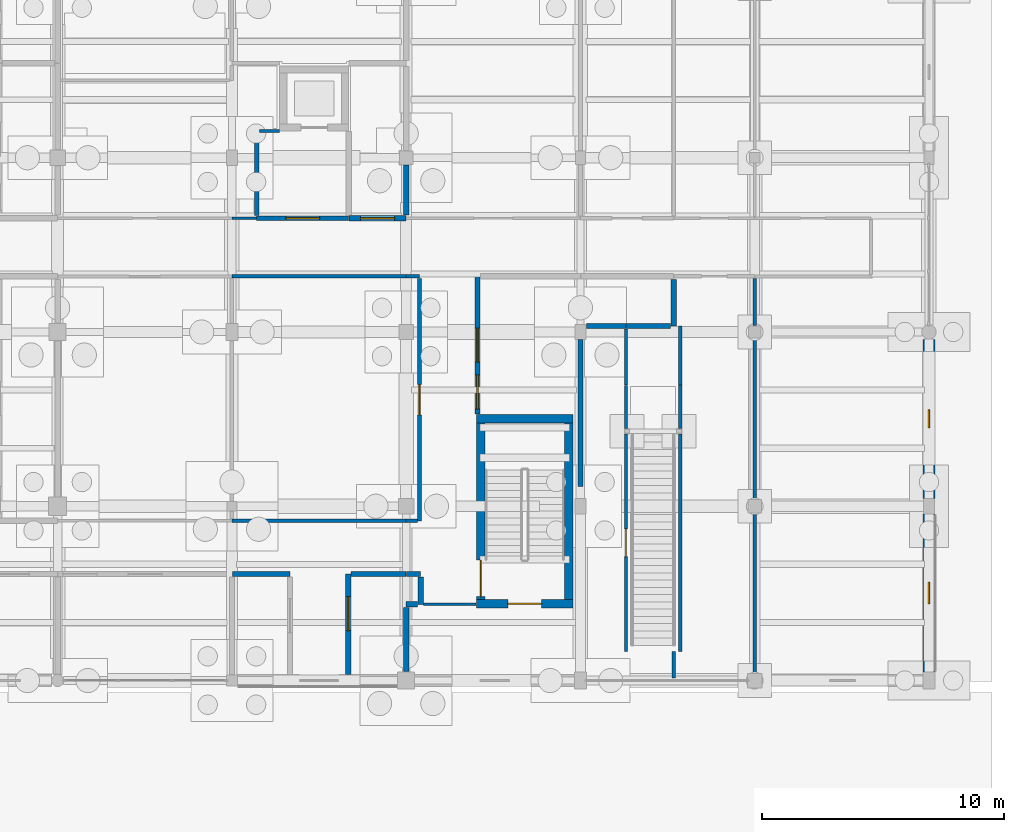
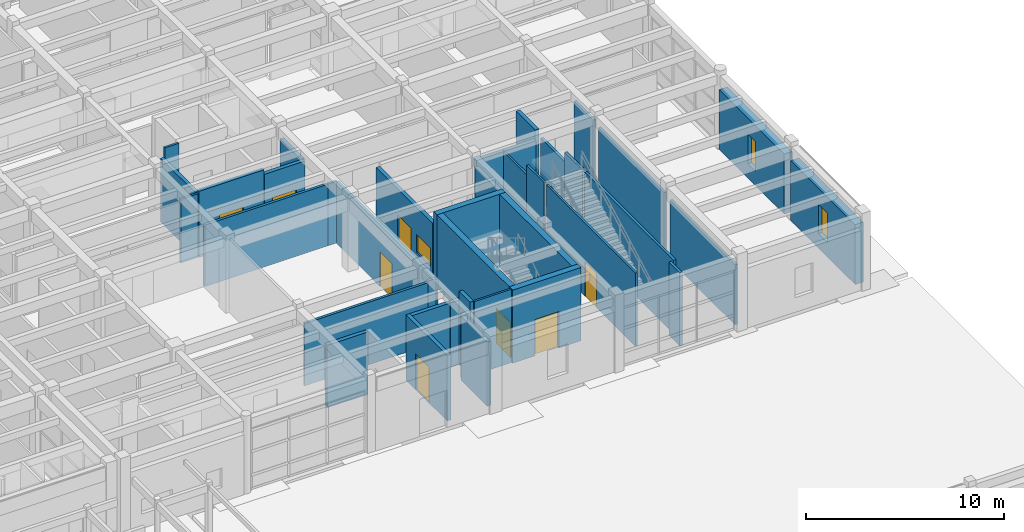
# One storey, part 120 of 143: 40 walls, 8 doors, 3 windows, 11 openings.
"""IFC4 building model written with IfcOpenShell, lengths in metres."""

from ifc_helpers import new_model, si_unit, direction, frame, frame_2d, origin, place, context, subcontext, project, spatial, rectangle, extrude, material, layer, layer_set, type_object, element, fill, save


model = new_model("IFC4")

# Units and contexts
model_context = context("Model", 3, precision=1e-05, world=origin(), true_north=direction((0.0, 1.0)))
body_context = subcontext(model_context, "Body", "Model", "MODEL_VIEW")
ifc_project = project(units=[si_unit("LENGTHUNIT", "METRE"), si_unit("AREAUNIT", "SQUARE_METRE"), si_unit("VOLUMEUNIT", "CUBIC_METRE"), si_unit("PLANEANGLEUNIT", "RADIAN"), si_unit("MASSUNIT", "GRAM", prefix="KILO")], contexts=[model_context])

# Site, building, storey
site_placement = place(None, origin())
site = spatial("IfcSite", under=ifc_project, at=site_placement, CompositionType="ELEMENT")
building_placement = place(site_placement, origin())
building = spatial("IfcBuilding", under=site, at=building_placement, Name="Steenspoor Specialist Clinic", CompositionType="ELEMENT")
storey_placement = place(building_placement, origin())
storey = spatial("IfcBuildingStorey", under=building, at=storey_placement, Name="L00", CompositionType="ELEMENT", Elevation=0.0)

# Wall, opening, window
ifc_material_1 = material(Name="Volcanic basalt ashlar masonry", Category="masonry")
ifc_layer_1 = layer(ifc_material_1, 0.47998046875)
ifc_layer_set_1 = layer_set([ifc_layer_1], Name="Volcanic basalt ashlar masonry")
wall_type_1 = type_object("IfcWallType", Name="W-BASALT-480", PredefinedType="SOLIDWALL", material=ifc_layer_set_1)
wall_1_placement = place(storey_placement, frame((161.199951171875, 79.25, 0.0), z_axis=(0.0, 0.0, 1.0), x_axis=(0.0, -1.0, 0.0)))
wall_1 = element("IfcWall", 1, at=wall_1_placement, inside=storey, type_object=wall_type_1, Name="Exterior Brick Wall EW-V6-L00-0293", PredefinedType="SOLIDWALL", context=body_context, shape_type="SweptSolid", body=[
    extrude(rectangle(XDim=6.574951171875, YDim=0.47998046875, at=frame_2d((3.28759765625, 0.0))), origin(), (0.0, 0.0, 1.0), 3.699951171875),
])
opening_1_placement = place(wall_1_placement, frame((2.91259765625, 0.0, 0.89990234375)))
opening_1 = element("IfcOpeningElement", 2, at=opening_1_placement, cuts=wall_1, Name="Opening WN-02", PredefinedType="OPENING", context=body_context, shape_type="SweptSolid", body=[
    extrude(rectangle(XDim=0.75, YDim=1.800048828125, at=frame_2d((0.375, 0.89990234375))), frame((0.0, 0.25, 0.0), z_axis=(0.0, -1.0, 0.0), x_axis=(1.0, 0.0, 0.0)), (0.0, 0.0, 1.0), 0.5),
])
ifc_material_2 = material(Name="Thermally broken aluminium and low-emissivity glass", Category="aluminium")
window_type_1 = type_object("IfcWindowType", Name="WN-EXT-075X180", PartitioningType="SINGLE_PANEL", PredefinedType="WINDOW", material=ifc_material_2)
window_1_placement = place(opening_1_placement, origin())
window_1 = element("IfcWindow", 3, at=window_1_placement, inside=storey, type_object=window_type_1, Name="Window 0314", OverallHeight=1.800048828125, OverallWidth=0.75, PartitioningType="SINGLE_PANEL", PredefinedType="WINDOW", context=body_context, shape_type="SweptSolid", body=[
    extrude(rectangle(XDim=0.75, YDim=1.800048828125, at=frame_2d((0.375, 0.89990234375))), frame((0.0, 0.030029296875, 0.0), z_axis=(0.0, -1.0, 0.0), x_axis=(1.0, 0.0, 0.0)), (0.0, 0.0, 1.0), 0.06005859375),
])
fill(opening_1, window_1)

wall_2_placement = place(storey_placement, frame((161.199951171875, 72.02490234375, 0.0), z_axis=(0.0, 0.0, 1.0), x_axis=(0.0, -1.0, 0.0)))
wall_2 = element("IfcWall", 4, at=wall_2_placement, inside=storey, type_object=wall_type_1, Name="Exterior Brick Wall EW-V6-L00-0294", PredefinedType="SOLIDWALL", context=body_context, shape_type="SweptSolid", body=[
    extrude(rectangle(XDim=6.52490234375, YDim=0.47998046875, at=frame_2d((3.262451171875, 0.0))), origin(), (0.0, 0.0, 1.0), 3.699951171875),
])
opening_2_placement = place(wall_2_placement, frame((2.8125, 0.0, 0.89990234375)))
opening_2 = element("IfcOpeningElement", 5, at=opening_2_placement, cuts=wall_2, Name="Opening WN-03", PredefinedType="OPENING", context=body_context, shape_type="SweptSolid", body=[
    extrude(rectangle(XDim=0.89990234375, YDim=1.800048828125, at=frame_2d((0.449951171875, 0.89990234375))), frame((0.0, 0.25, 0.0), z_axis=(0.0, -1.0, 0.0), x_axis=(1.0, 0.0, 0.0)), (0.0, 0.0, 1.0), 0.5),
])
window_type_2 = type_object("IfcWindowType", Name="WN-EXT-090X180", PartitioningType="SINGLE_PANEL", PredefinedType="WINDOW", material=ifc_material_2)
window_2_placement = place(opening_2_placement, origin())
window_2 = element("IfcWindow", 6, at=window_2_placement, inside=storey, type_object=window_type_2, Name="Window 0315", OverallHeight=1.800048828125, OverallWidth=0.89990234375, PartitioningType="SINGLE_PANEL", PredefinedType="WINDOW", context=body_context, shape_type="SweptSolid", body=[
    extrude(rectangle(XDim=0.89990234375, YDim=1.800048828125, at=frame_2d((0.449951171875, 0.89990234375))), frame((0.0, 0.030029296875, 0.0), z_axis=(0.0, -1.0, 0.0), x_axis=(1.0, 0.0, 0.0)), (0.0, 0.0, 1.0), 0.06005859375),
])
fill(opening_2, window_2)

# Wall
ifc_material_3 = material(Name="Gypsum acoustic clinical partition", Category="gypsum")
ifc_layer_2 = layer(ifc_material_3, 0.14990234375)
ifc_layer_set_2 = layer_set([ifc_layer_2], Name="Gypsum acoustic clinical partition")
wall_type_2 = type_object("IfcWallType", Name="W-CLIN-150", PredefinedType="PARTITIONING", material=ifc_layer_set_2)
wall_3_placement = place(storey_placement, frame((139.60009765625, 81.85009765625, 0.0), z_axis=(0.0, 0.0, 1.0), x_axis=(1.0, 0.0, 0.0)))
element("IfcWall", 7, at=wall_3_placement, inside=storey, type_object=wall_type_2, Name="Interior Partition IW-V6-L00-0279", PredefinedType="PARTITIONING", context=body_context, shape_type="SweptSolid", body=[
    extrude(rectangle(XDim=0.5498046875, YDim=0.14990234375, at=frame_2d((0.27490234375, 0.0))), origin(), (0.0, 0.0, 1.0), 3.804931640625),
])

# Wall, opening, door
wall_4_placement = place(storey_placement, frame((140.14990234375, 71.75, 0.0), z_axis=(0.0, 0.0, 1.0), x_axis=(0.0, 1.0, 0.0)))
wall_4 = element("IfcWall", 8, at=wall_4_placement, inside=storey, type_object=wall_type_2, Name="Interior Partition IW-V6-L00-0280", PredefinedType="PARTITIONING", context=body_context, shape_type="SweptSolid", body=[
    extrude(rectangle(XDim=10.010009765625, YDim=0.14990234375, at=frame_2d((5.0048828125, 0.0))), origin(), (0.0, 0.0, 1.0), 3.804931640625),
])
opening_3_placement = place(wall_4_placement, frame((4.3798828125, 0.0, 0.0)))
opening_3 = element("IfcOpeningElement", 9, at=opening_3_placement, cuts=wall_4, Name="Opening D0410", PredefinedType="OPENING", context=body_context, shape_type="SweptSolid", body=[
    extrude(rectangle(XDim=1.25, YDim=2.14990234375, at=frame_2d((0.625, 1.074951171875))), frame((0.0, 0.0849609375, 0.0), z_axis=(0.0, -1.0, 0.0), x_axis=(1.0, 0.0, 0.0)), (0.0, 0.0, 1.0), 0.169921875),
])
ifc_material_4 = material(Name="Hygienic HPL clinical timber door", Category="wood")
door_type_1 = type_object("IfcDoorType", Name="DT-EXAM-125X215", OperationType="NOTDEFINED", PredefinedType="DOOR", material=ifc_material_4)
door_1_placement = place(opening_3_placement, origin())
door_1 = element("IfcDoor", 10, at=door_1_placement, inside=storey, type_object=door_type_1, Name="Clinical Door D0410", OperationType="SINGLE_SWING_LEFT", OverallHeight=2.14990234375, OverallWidth=1.25, PredefinedType="DOOR", context=body_context, shape_type="SweptSolid", body=[
    extrude(rectangle(XDim=1.25, YDim=2.14990234375, at=frame_2d((0.625, 1.074951171875))), frame((0.0, 0.02490234375, 0.0), z_axis=(0.0, -1.0, 0.0), x_axis=(1.0, 0.0, 0.0)), (0.0, 0.0, 1.0), 0.050048828125),
])
fill(opening_3, door_1)

# Walls
wall_5_placement = place(storey_placement, frame((139.60009765625, 71.75, 0.0), z_axis=(0.0, 0.0, 1.0), x_axis=(1.0, 0.0, 0.0)))
element("IfcWall", 11, at=wall_5_placement, inside=storey, type_object=wall_type_2, Name="Interior Partition IW-V6-L00-0281", PredefinedType="PARTITIONING", context=body_context, shape_type="SweptSolid", body=[
    extrude(rectangle(XDim=0.4599609375, YDim=0.14990234375, at=frame_2d((0.22998046875, 0.0))), origin(), (0.0, 0.0, 1.0), 3.955078125),
])
wall_6_placement = place(storey_placement, frame((132.39990234375, 71.75, 0.0), z_axis=(0.0, 0.0, 1.0), x_axis=(1.0, 0.0, 0.0)))
element("IfcWall", 12, at=wall_6_placement, inside=storey, type_object=wall_type_2, Name="Interior Partition IW-V6-L00-0282", PredefinedType="PARTITIONING", context=body_context, shape_type="SweptSolid", body=[
    extrude(rectangle(XDim=7.18505859375, YDim=0.14990234375, at=frame_2d((3.592529296875, 0.0))), origin(), (0.0, 0.0, 1.0), 3.85498046875),
])
wall_7_placement = place(storey_placement, frame((132.39990234375, 81.85009765625, 0.0), z_axis=(0.0, 0.0, 1.0), x_axis=(1.0, 0.0, 0.0)))
element("IfcWall", 13, at=wall_7_placement, inside=storey, type_object=wall_type_2, Name="Interior Partition IW-V6-L00-0283", PredefinedType="PARTITIONING", context=body_context, shape_type="SweptSolid", body=[
    extrude(rectangle(XDim=7.18505859375, YDim=0.14990234375, at=frame_2d((3.592529296875, 0.0))), origin(), (0.0, 0.0, 1.0), 3.804931640625),
])
wall_8_placement = place(storey_placement, frame((150.64990234375, 65.2548828125, 0.0), z_axis=(0.0, 0.0, 1.0), x_axis=(0.0, 1.0, 0.0)))
element("IfcWall", 14, at=wall_8_placement, inside=storey, type_object=wall_type_2, Name="Interior Partition IW-V6-L00-0635", PredefinedType="PARTITIONING", context=body_context, shape_type="SweptSolid", body=[
    extrude(rectangle(XDim=1.09521484375, YDim=0.14990234375, at=frame_2d((0.547607421875, 0.0))), origin(), (0.0, 0.0, 1.0), 4.52001953125),
])
wall_9_placement = place(storey_placement, frame((150.925048828125, 66.35009765625, 0.0), z_axis=(0.0, 0.0, 1.0), x_axis=(0.0, 1.0, 0.0)))
element("IfcWall", 15, at=wall_9_placement, inside=storey, type_object=wall_type_2, Name="Interior Partition IW-V6-L00-0636", PredefinedType="PARTITIONING", context=body_context, shape_type="SweptSolid", body=[
    extrude(rectangle(XDim=8.98291015625, YDim=0.14990234375, at=frame_2d((4.491455078125, 0.0))), origin(), (0.0, 0.0, 1.0), 4.52001953125),
])
wall_10_placement = place(storey_placement, frame((150.925048828125, 75.56689453125, 0.0), z_axis=(0.0, 0.0, 1.0), x_axis=(0.0, 1.0, 0.0)))
element("IfcWall", 16, at=wall_10_placement, inside=storey, type_object=wall_type_2, Name="Interior Partition IW-V6-L00-0637", PredefinedType="PARTITIONING", context=body_context, shape_type="SweptSolid", body=[
    extrude(rectangle(XDim=1.783203125, YDim=0.14990234375, at=frame_2d((0.8916015625, 0.0))), origin(), (0.0, 0.0, 1.0), 4.52001953125),
])
wall_11_placement = place(storey_placement, frame((150.925048828125, 77.364990234375, 0.0), z_axis=(0.0, 0.0, 1.0), x_axis=(0.0, 1.0, 0.0)))
element("IfcWall", 17, at=wall_11_placement, inside=storey, type_object=wall_type_2, Name="Interior Partition IW-V6-L00-0638", PredefinedType="PARTITIONING", context=body_context, shape_type="SweptSolid", body=[
    extrude(rectangle(XDim=2.43505859375, YDim=0.14990234375, at=frame_2d((1.217529296875, 0.0))), origin(), (0.0, 0.0, 1.0), 3.925048828125),
])
wall_12_placement = place(storey_placement, frame((154.0, 65.465087890625, 0.0), z_axis=(0.0, 0.0, 1.0), x_axis=(0.0, 1.0, 0.0)))
element("IfcWall", 18, at=wall_12_placement, inside=storey, type_object=wall_type_2, Name="Interior Partition IW-V6-L00-0639", PredefinedType="PARTITIONING", context=body_context, shape_type="SweptSolid", body=[
    extrude(rectangle(XDim=6.594970703125, YDim=0.14990234375, at=frame_2d((3.29736328125, 0.0))), origin(), (0.0, 0.0, 1.0), 3.705078125),
])
wall_13_placement = place(storey_placement, frame((154.0, 72.639892578125, 0.0), z_axis=(0.0, 0.0, 1.0), x_axis=(0.0, 1.0, 0.0)))
element("IfcWall", 19, at=wall_13_placement, inside=storey, type_object=wall_type_2, Name="Interior Partition IW-V6-L00-0640", PredefinedType="PARTITIONING", context=body_context, shape_type="SweptSolid", body=[
    extrude(rectangle(XDim=6.64501953125, YDim=0.14990234375, at=frame_2d((3.322509765625, 0.0))), origin(), (0.0, 0.0, 1.0), 3.804931640625),
])
wall_14_placement = place(storey_placement, frame((154.0, 79.81494140625, 0.0), z_axis=(0.0, 0.0, 1.0), x_axis=(0.0, 1.0, 0.0)))
element("IfcWall", 20, at=wall_14_placement, inside=storey, type_object=wall_type_2, Name="Interior Partition IW-V6-L00-0641", PredefinedType="PARTITIONING", context=body_context, shape_type="SweptSolid", body=[
    extrude(rectangle(XDim=1.945068359375, YDim=0.14990234375, at=frame_2d((0.97265625, 0.0))), origin(), (0.0, 0.0, 1.0), 3.925048828125),
])
ifc_material_5 = material(Name="Fire-rated clay blockwork masonry", Category="masonry")
ifc_layer_3 = layer(ifc_material_5, 0.219970703125)
ifc_layer_set_3 = layer_set([ifc_layer_3], Name="Fire-rated clay blockwork masonry")
wall_type_3 = type_object("IfcWallType", Name="W-FIRE-220", PredefinedType="PARTITIONING", material=ifc_layer_set_3)
wall_15_placement = place(storey_placement, frame((132.4150390625, 69.550048828125, 0.0), z_axis=(0.0, 0.0, 1.0), x_axis=(1.0, 0.0, 0.0)))
element("IfcWall", 21, at=wall_15_placement, inside=storey, type_object=wall_type_3, Name="Interior Partition IW-V6-L00-0093", PredefinedType="PARTITIONING", context=body_context, shape_type="SweptSolid", body=[
    extrude(rectangle(XDim=2.385009765625, YDim=0.219970703125, at=frame_2d((1.1923828125, 0.0))), origin(), (0.0, 0.0, 1.0), 3.85498046875),
])

# Wall, opening, door
wall_16_placement = place(storey_placement, frame((137.199951171875, 65.405029296875, 0.0), z_axis=(0.0, 0.0, 1.0), x_axis=(0.0, 1.0, 0.0)))
wall_16 = element("IfcWall", 22, at=wall_16_placement, inside=storey, type_object=wall_type_3, Name="Interior Partition IW-V6-L00-0095", PredefinedType="PARTITIONING", context=body_context, shape_type="SweptSolid", body=[
    extrude(rectangle(XDim=4.14501953125, YDim=0.219970703125, at=frame_2d((2.072509765625, 0.0))), origin(), (0.0, 0.0, 1.0), 4.044921875),
])
opening_4_placement = place(wall_16_placement, frame((1.811767578125, 0.0, 0.0)))
opening_4 = element("IfcOpeningElement", 23, at=opening_4_placement, cuts=wall_16, Name="Opening D0404", PredefinedType="OPENING", context=body_context, shape_type="SweptSolid", body=[
    extrude(rectangle(XDim=1.39990234375, YDim=2.199951171875, at=frame_2d((0.699951171875, 1.10009765625))), frame((0.0, 0.1201171875, 0.0), z_axis=(0.0, -1.0, 0.0), x_axis=(1.0, 0.0, 0.0)), (0.0, 0.0, 1.0), 0.239990234375),
])
ifc_material_6 = material(Name="Fire-rated clinical laminate door", Category="steel")
door_type_2 = type_object("IfcDoorType", Name="DT-LAB-140X220", OperationType="NOTDEFINED", PredefinedType="DOOR", material=ifc_material_6)
door_2_placement = place(opening_4_placement, origin())
door_2 = element("IfcDoor", 24, at=door_2_placement, inside=storey, type_object=door_type_2, Name="Clinical Door D0404", OperationType="SINGLE_SWING_LEFT", OverallHeight=2.199951171875, OverallWidth=1.39990234375, PredefinedType="DOOR", context=body_context, shape_type="SweptSolid", body=[
    extrude(rectangle(XDim=1.39990234375, YDim=2.199951171875, at=frame_2d((0.699951171875, 1.10009765625))), frame((0.0, 0.02490234375, 0.0), z_axis=(0.0, -1.0, 0.0), x_axis=(1.0, 0.0, 0.0)), (0.0, 0.0, 1.0), 0.050048828125),
])
fill(opening_4, door_2)

# Walls
wall_17_placement = place(storey_placement, frame((137.324951171875, 69.550048828125, 0.0), z_axis=(0.0, 0.0, 1.0), x_axis=(1.0, 0.0, 0.0)))
element("IfcWall", 25, at=wall_17_placement, inside=storey, type_object=wall_type_3, Name="Interior Partition IW-V6-L00-0096", PredefinedType="PARTITIONING", context=body_context, shape_type="SweptSolid", body=[
    extrude(rectangle(XDim=2.275146484375, YDim=0.219970703125, at=frame_2d((1.1376953125, 0.0))), origin(), (0.0, 0.0, 1.0), 3.955078125),
])
wall_18_placement = place(storey_placement, frame((139.614990234375, 69.550048828125, 0.0), z_axis=(0.0, 0.0, 1.0), x_axis=(1.0, 0.0, 0.0)))
element("IfcWall", 26, at=wall_18_placement, inside=storey, type_object=wall_type_3, Name="Interior Partition IW-V6-L00-0097", PredefinedType="PARTITIONING", context=body_context, shape_type="SweptSolid", body=[
    extrude(rectangle(XDim=0.5849609375, YDim=0.219970703125, at=frame_2d((0.29248046875, 0.0))), origin(), (0.0, 0.0, 1.0), 3.955078125),
])
wall_19_placement = place(storey_placement, frame((140.199951171875, 68.300048828125, 0.0), z_axis=(0.0, 0.0, 1.0), x_axis=(0.0, 1.0, 0.0)))
element("IfcWall", 27, at=wall_19_placement, inside=storey, type_object=wall_type_3, Name="Interior Partition IW-V6-L00-0098", PredefinedType="PARTITIONING", context=body_context, shape_type="SweptSolid", body=[
    extrude(rectangle(XDim=1.125, YDim=0.219970703125, at=frame_2d((0.5625, 0.0))), origin(), (0.0, 0.0, 1.0), 4.52001953125),
])
wall_20_placement = place(storey_placement, frame((139.60009765625, 68.300048828125, 0.0), z_axis=(0.0, 0.0, 1.0), x_axis=(1.0, 0.0, 0.0)))
element("IfcWall", 28, at=wall_20_placement, inside=storey, type_object=wall_type_3, Name="Interior Partition IW-V6-L00-0099", PredefinedType="PARTITIONING", context=body_context, shape_type="SweptSolid", body=[
    extrude(rectangle(XDim=0.474853515625, YDim=0.219970703125, at=frame_2d((0.2373046875, 0.0))), origin(), (0.0, 0.0, 1.0), 3.955078125),
])

# Wall, openings, door, window
wall_21_placement = place(storey_placement, frame((142.550048828125, 76.1650390625, 0.0), z_axis=(0.0, 0.0, 1.0), x_axis=(0.0, 1.0, 0.0)))
wall_21 = element("IfcWall", 29, at=wall_21_placement, inside=storey, type_object=wall_type_3, Name="Interior Partition IW-V6-L00-0103", PredefinedType="PARTITIONING", context=body_context, shape_type="SweptSolid", body=[
    extrude(rectangle(XDim=5.68505859375, YDim=0.219970703125, at=frame_2d((2.842529296875, 0.0))), origin(), (0.0, 0.0, 1.0), 3.804931640625),
])
opening_5_placement = place(wall_21_placement, frame((2.142578125, 0.0, 0.0)))
opening_5 = element("IfcOpeningElement", 30, at=opening_5_placement, cuts=wall_21, Name="Opening D0411", PredefinedType="OPENING", context=body_context, shape_type="SweptSolid", body=[
    extrude(rectangle(XDim=1.39990234375, YDim=2.199951171875, at=frame_2d((0.699951171875, 1.10009765625))), frame((0.0, 0.1201171875, 0.0), z_axis=(0.0, -1.0, 0.0), x_axis=(1.0, 0.0, 0.0)), (0.0, 0.0, 1.0), 0.239990234375),
])
opening_6_placement = place(wall_21_placement, frame((0.199951171875, 0.0, 1.050048828125)))
opening_6 = element("IfcOpeningElement", 31, at=opening_6_placement, cuts=wall_21, Name="Opening IWN-01", PredefinedType="OPENING", context=body_context, shape_type="SweptSolid", body=[
    extrude(rectangle(XDim=1.39990234375, YDim=1.10009765625, at=frame_2d((0.699951171875, 0.550048828125))), frame((0.0, 0.1201171875, 0.0), z_axis=(0.0, -1.0, 0.0), x_axis=(1.0, 0.0, 0.0)), (0.0, 0.0, 1.0), 0.239990234375),
])
door_3_placement = place(opening_5_placement, origin())
door_3 = element("IfcDoor", 32, at=door_3_placement, inside=storey, type_object=door_type_2, Name="Clinical Door D0411", OperationType="SINGLE_SWING_RIGHT", OverallHeight=2.199951171875, OverallWidth=1.39990234375, PredefinedType="DOOR", context=body_context, shape_type="SweptSolid", body=[
    extrude(rectangle(XDim=1.39990234375, YDim=2.199951171875, at=frame_2d((0.699951171875, 1.10009765625))), frame((0.0, 0.02490234375, 0.0), z_axis=(0.0, -1.0, 0.0), x_axis=(1.0, 0.0, 0.0)), (0.0, 0.0, 1.0), 0.050048828125),
])
fill(opening_5, door_3)
window_type_3 = type_object("IfcWindowType", Name="IWND-OBS-140X110", PartitioningType="SINGLE_PANEL", PredefinedType="WINDOW", material=ifc_material_2)
window_3_placement = place(opening_6_placement, origin())
window_3 = element("IfcWindow", 33, at=window_3_placement, inside=storey, type_object=window_type_3, Name="Observation Window 007", OverallHeight=1.10009765625, OverallWidth=1.39990234375, PartitioningType="SINGLE_PANEL", PredefinedType="WINDOW", context=body_context, shape_type="SweptSolid", body=[
    extrude(rectangle(XDim=1.39990234375, YDim=1.10009765625, at=frame_2d((0.699951171875, 0.550048828125))), frame((0.0, 0.030029296875, 0.0), z_axis=(0.0, -1.0, 0.0), x_axis=(1.0, 0.0, 0.0)), (0.0, 0.0, 1.0), 0.06005859375),
])
fill(opening_6, window_3)

# Wall, opening, door
wall_22_placement = place(storey_placement, frame((137.239990234375, 84.25, 0.0), z_axis=(0.0, 0.0, 1.0), x_axis=(1.0, 0.0, 0.0)))
wall_22 = element("IfcWall", 34, at=wall_22_placement, inside=storey, type_object=wall_type_3, Name="Interior Partition IW-V6-L00-0108", PredefinedType="PARTITIONING", context=body_context, shape_type="SweptSolid", body=[
    extrude(rectangle(XDim=2.360107421875, YDim=0.219970703125, at=frame_2d((1.18017578125, 0.0))), origin(), (0.0, 0.0, 1.0), 3.804931640625),
])
opening_7_placement = place(wall_22_placement, frame((0.47998046875, 0.0, 0.0)))
opening_7 = element("IfcOpeningElement", 35, at=opening_7_placement, cuts=wall_22, Name="Opening D0414", PredefinedType="OPENING", context=body_context, shape_type="SweptSolid", body=[
    extrude(rectangle(XDim=1.39990234375, YDim=2.199951171875, at=frame_2d((0.699951171875, 1.10009765625))), frame((0.0, 0.1201171875, 0.0), z_axis=(0.0, -1.0, 0.0), x_axis=(1.0, 0.0, 0.0)), (0.0, 0.0, 1.0), 0.239990234375),
])
door_4_placement = place(opening_7_placement, origin())
door_4 = element("IfcDoor", 36, at=door_4_placement, inside=storey, type_object=door_type_2, Name="Clinical Door D0414", OperationType="SINGLE_SWING_LEFT", OverallHeight=2.199951171875, OverallWidth=1.39990234375, PredefinedType="DOOR", context=body_context, shape_type="SweptSolid", body=[
    extrude(rectangle(XDim=1.39990234375, YDim=2.199951171875, at=frame_2d((0.699951171875, 1.10009765625))), frame((0.0, 0.02490234375, 0.0), z_axis=(0.0, -1.0, 0.0), x_axis=(1.0, 0.0, 0.0)), (0.0, 0.0, 1.0), 0.050048828125),
])
fill(opening_7, door_4)

# Walls
wall_23_placement = place(storey_placement, frame((139.60009765625, 65.514892578125, 0.0), z_axis=(0.0, 0.0, 1.0), x_axis=(0.0, 1.0, 0.0)))
element("IfcWall", 37, at=wall_23_placement, inside=storey, type_object=wall_type_3, Name="Interior Partition IW-V6-L00-0461", PredefinedType="PARTITIONING", context=body_context, shape_type="SweptSolid", body=[
    extrude(rectangle(XDim=2.66015625, YDim=0.219970703125, at=frame_2d((1.330078125, 0.0))), origin(), (0.0, 0.0, 1.0), 3.955078125),
])
wall_24_placement = place(storey_placement, frame((146.800048828125, 73.169921875, 0.0), z_axis=(0.0, 0.0, 1.0), x_axis=(0.0, 1.0, 0.0)))
element("IfcWall", 38, at=wall_24_placement, inside=storey, type_object=wall_type_3, Name="Interior Partition IW-V6-L00-0462", PredefinedType="PARTITIONING", context=body_context, shape_type="SweptSolid", body=[
    extrude(rectangle(XDim=6.065185546875, YDim=0.219970703125, at=frame_2d((3.03271484375, 0.0))), origin(), (0.0, 0.0, 1.0), 3.925048828125),
])
wall_25_placement = place(storey_placement, frame((147.0400390625, 79.800048828125, 0.0), z_axis=(0.0, 0.0, 1.0), x_axis=(1.0, 0.0, 0.0)))
element("IfcWall", 39, at=wall_25_placement, inside=storey, type_object=wall_type_3, Name="Interior Partition IW-V6-L00-0463", PredefinedType="PARTITIONING", context=body_context, shape_type="SweptSolid", body=[
    extrude(rectangle(XDim=1.635009765625, YDim=0.219970703125, at=frame_2d((0.8173828125, 0.0))), origin(), (0.0, 0.0, 1.0), 3.925048828125),
])
wall_26_placement = place(storey_placement, frame((150.64990234375, 79.800048828125, 0.0), z_axis=(0.0, 0.0, 1.0), x_axis=(0.0, 1.0, 0.0)))
element("IfcWall", 40, at=wall_26_placement, inside=storey, type_object=wall_type_3, Name="Interior Partition IW-V6-L00-0464", PredefinedType="PARTITIONING", context=body_context, shape_type="SweptSolid", body=[
    extrude(rectangle(XDim=1.925048828125, YDim=0.219970703125, at=frame_2d((0.96240234375, 0.0))), origin(), (0.0, 0.0, 1.0), 4.52001953125),
])
wall_27_placement = place(storey_placement, frame((148.68994140625, 79.800048828125, 0.0), z_axis=(0.0, 0.0, 1.0), x_axis=(1.0, 0.0, 0.0)))
element("IfcWall", 41, at=wall_27_placement, inside=storey, type_object=wall_type_3, Name="Interior Partition IW-V6-L00-0467", PredefinedType="PARTITIONING", context=body_context, shape_type="SweptSolid", body=[
    extrude(rectangle(XDim=1.8349609375, YDim=0.219970703125, at=frame_2d((0.91748046875, 0.0))), origin(), (0.0, 0.0, 1.0), 3.925048828125),
])
wall_28_placement = place(storey_placement, frame((139.60009765625, 84.375, 0.0), z_axis=(0.0, 0.0, 1.0), x_axis=(0.0, 1.0, 0.0)))
element("IfcWall", 42, at=wall_28_placement, inside=storey, type_object=wall_type_3, Name="Interior Partition IW-V6-L00-0472", PredefinedType="PARTITIONING", context=body_context, shape_type="SweptSolid", body=[
    extrude(rectangle(XDim=2.0849609375, YDim=0.219970703125, at=frame_2d((1.04248046875, 0.0))), origin(), (0.0, 0.0, 1.0), 3.804931640625),
])
ifc_material_7 = material(Name="Gypsum studio partition board", Category="gypsum")
ifc_layer_4 = layer(ifc_material_7, 0.1201171875)
ifc_layer_set_4 = layer_set([ifc_layer_4], Name="Gypsum studio partition board")
wall_type_4 = type_object("IfcWallType", Name="W-PART-120", PredefinedType="PARTITIONING", material=ifc_layer_set_4)
wall_29_placement = place(storey_placement, frame((140.324951171875, 68.300048828125, 0.0), z_axis=(0.0, 0.0, 1.0), x_axis=(1.0, 0.0, 0.0)))
element("IfcWall", 43, at=wall_29_placement, inside=storey, type_object=wall_type_4, Name="Interior Partition IW-V6-L00-0379", PredefinedType="PARTITIONING", context=body_context, shape_type="SweptSolid", body=[
    extrude(rectangle(XDim=2.16015625, YDim=0.1201171875, at=frame_2d((1.080078125, 0.0))), origin(), (0.0, 0.0, 1.0), 4.52001953125),
])
wall_30_placement = place(storey_placement, frame((132.39990234375, 84.25, 0.0), z_axis=(0.0, 0.0, 1.0), x_axis=(1.0, 0.0, 0.0)))
element("IfcWall", 44, at=wall_30_placement, inside=storey, type_object=wall_type_4, Name="Interior Partition IW-V6-L00-0385", PredefinedType="PARTITIONING", context=body_context, shape_type="SweptSolid", body=[
    extrude(rectangle(XDim=1.010009765625, YDim=0.1201171875, at=frame_2d((0.5048828125, 0.0))), origin(), (0.0, 0.0, 1.0), 3.925048828125),
])
wall_31_placement = place(storey_placement, frame((148.675048828125, 77.35009765625, 0.0), z_axis=(0.0, 0.0, 1.0), x_axis=(0.0, 1.0, 0.0)))
element("IfcWall", 45, at=wall_31_placement, inside=storey, type_object=wall_type_4, Name="Interior Partition IW-V6-L00-0661", PredefinedType="PARTITIONING", context=body_context, shape_type="SweptSolid", body=[
    extrude(rectangle(XDim=2.324951171875, YDim=0.1201171875, at=frame_2d((1.16259765625, 0.0))), origin(), (0.0, 0.0, 1.0), 3.925048828125),
])

# Wall, opening, door
wall_32_placement = place(storey_placement, frame((148.675048828125, 66.35009765625, 0.0), z_axis=(0.0, 0.0, 1.0), x_axis=(0.0, 1.0, 0.0)))
wall_32 = element("IfcWall", 46, at=wall_32_placement, inside=storey, type_object=wall_type_4, Name="Interior Partition IW-V6-L00-0662", PredefinedType="PARTITIONING", context=body_context, shape_type="SweptSolid", body=[
    extrude(rectangle(XDim=8.98291015625, YDim=0.1201171875, at=frame_2d((4.491455078125, 0.0))), origin(), (0.0, 0.0, 1.0), 4.52001953125),
])
opening_8_placement = place(wall_32_placement, frame((3.91650390625, 0.0, 0.0)))
opening_8 = element("IfcOpeningElement", 47, at=opening_8_placement, cuts=wall_32, Name="Opening D0405", PredefinedType="OPENING", context=body_context, shape_type="SweptSolid", body=[
    extrude(rectangle(XDim=1.14990234375, YDim=2.14990234375, at=frame_2d((0.574951171875, 1.074951171875))), frame((0.0, 0.070068359375, 0.0), z_axis=(0.0, -1.0, 0.0), x_axis=(1.0, 0.0, 0.0)), (0.0, 0.0, 1.0), 0.14013671875),
])
ifc_material_8 = material(Name="Solid-core hardwood clinical door", Category="wood")
door_type_3 = type_object("IfcDoorType", Name="DT-CONS-115X215", OperationType="NOTDEFINED", PredefinedType="DOOR", material=ifc_material_8)
door_5_placement = place(opening_8_placement, origin())
door_5 = element("IfcDoor", 48, at=door_5_placement, inside=storey, type_object=door_type_3, Name="Clinical Door D0405", OperationType="SINGLE_SWING_RIGHT", OverallHeight=2.14990234375, OverallWidth=1.14990234375, PredefinedType="DOOR", context=body_context, shape_type="SweptSolid", body=[
    extrude(rectangle(XDim=1.14990234375, YDim=2.14990234375, at=frame_2d((0.574951171875, 1.074951171875))), frame((0.0, 0.02490234375, 0.0), z_axis=(0.0, -1.0, 0.0), x_axis=(1.0, 0.0, 0.0)), (0.0, 0.0, 1.0), 0.050048828125),
])
fill(opening_8, door_5)

# Walls
wall_33_placement = place(storey_placement, frame((148.675048828125, 75.56689453125, 0.0), z_axis=(0.0, 0.0, 1.0), x_axis=(0.0, 1.0, 0.0)))
element("IfcWall", 49, at=wall_33_placement, inside=storey, type_object=wall_type_4, Name="Interior Partition IW-V6-L00-0663", PredefinedType="PARTITIONING", context=body_context, shape_type="SweptSolid", body=[
    extrude(rectangle(XDim=1.76806640625, YDim=0.1201171875, at=frame_2d((0.884033203125, 0.0))), origin(), (0.0, 0.0, 1.0), 4.52001953125),
])
wall_34_placement = place(storey_placement, frame((133.5400390625, 87.85009765625, 0.0), z_axis=(0.0, 0.0, 1.0), x_axis=(1.0, 0.0, 0.0)))
element("IfcWall", 50, at=wall_34_placement, inside=storey, type_object=wall_type_4, Name="Interior Partition IW-V6-L00-0667", PredefinedType="PARTITIONING", context=body_context, shape_type="SweptSolid", body=[
    extrude(rectangle(XDim=0.820068359375, YDim=0.1201171875, at=frame_2d((0.41015625, 0.0))), origin(), (0.0, 0.0, 1.0), 4.52001953125),
])

# Wall, opening, door
ifc_material_9 = material(Name="Gypsum acoustic smoke barrier board", Category="gypsum")
ifc_layer_5 = layer(ifc_material_9, 0.199951171875)
ifc_layer_set_5 = layer_set([ifc_layer_5], Name="Gypsum acoustic smoke barrier board")
wall_type_5 = type_object("IfcWallType", Name="W-SMOKE-200", PredefinedType="PARTITIONING", material=ifc_layer_set_5)
wall_35_placement = place(storey_placement, frame((133.425048828125, 84.25, 0.0), z_axis=(0.0, 0.0, 1.0), x_axis=(1.0, 0.0, 0.0)))
wall_35 = element("IfcWall", 51, at=wall_35_placement, inside=storey, type_object=wall_type_5, Name="Interior Partition IW-V6-L00-0009", PredefinedType="PARTITIONING", context=body_context, shape_type="SweptSolid", body=[
    extrude(rectangle(XDim=3.800048828125, YDim=0.199951171875, at=frame_2d((1.89990234375, 0.0))), origin(), (0.0, 0.0, 1.0), 4.0849609375),
])
opening_9_placement = place(wall_35_placement, frame((1.199951171875, 0.0, 0.0)))
opening_9 = element("IfcOpeningElement", 52, at=opening_9_placement, cuts=wall_35, Name="Opening D0399", PredefinedType="OPENING", context=body_context, shape_type="SweptSolid", body=[
    extrude(rectangle(XDim=1.39990234375, YDim=2.199951171875, at=frame_2d((0.699951171875, 1.10009765625))), frame((0.0, 0.10986328125, 0.0), z_axis=(0.0, -1.0, 0.0), x_axis=(1.0, 0.0, 0.0)), (0.0, 0.0, 1.0), 0.219970703125),
])
door_6_placement = place(opening_9_placement, origin())
door_6 = element("IfcDoor", 53, at=door_6_placement, inside=storey, type_object=door_type_2, Name="Lift Lobby Fire Door D0399", OperationType="SINGLE_SWING_RIGHT", OverallHeight=2.199951171875, OverallWidth=1.39990234375, PredefinedType="DOOR", context=body_context, shape_type="SweptSolid", body=[
    extrude(rectangle(XDim=1.39990234375, YDim=2.199951171875, at=frame_2d((0.699951171875, 1.10009765625))), frame((0.0, 0.02490234375, 0.0), z_axis=(0.0, -1.0, 0.0), x_axis=(1.0, 0.0, 0.0)), (0.0, 0.0, 1.0), 0.050048828125),
])
fill(opening_9, door_6)

# Wall
wall_36_placement = place(storey_placement, frame((133.425048828125, 84.364990234375, 0.0), z_axis=(0.0, 0.0, 1.0), x_axis=(0.0, 1.0, 0.0)))
element("IfcWall", 54, at=wall_36_placement, inside=storey, type_object=wall_type_5, Name="Interior Partition IW-V6-L00-0029", PredefinedType="PARTITIONING", context=body_context, shape_type="SweptSolid", body=[
    extrude(rectangle(XDim=3.485107421875, YDim=0.199951171875, at=frame_2d((1.74267578125, 0.0))), origin(), (0.0, 0.0, 1.0), 3.925048828125),
])

# Wall, opening, door
ifc_material_10 = material(Name="Concrete C40/50", Category="concrete")
ifc_layer_6 = layer(ifc_material_10, 0.35009765625)
ifc_layer_set_6 = layer_set([ifc_layer_6], Name="Concrete C40/50")
wall_type_6 = type_object("IfcWallType", Name="W-SW-350", PredefinedType="SHEAR", material=ifc_layer_set_6)
wall_37_placement = place(storey_placement, frame((146.5, 68.324951171875, 0.0), z_axis=(0.0, 0.0, 1.0), x_axis=(-1.0, 0.0, 0.0)))
wall_37 = element("IfcWall", 55, at=wall_37_placement, inside=storey, type_object=wall_type_6, Name="Core Shear Wall SW-ST-V6B-L00-S", PredefinedType="SHEAR", context=body_context, shape_type="SweptSolid", body=[
    extrude(rectangle(XDim=4.0, YDim=0.35009765625, at=frame_2d((2.0, 0.0))), origin(), (0.0, 0.0, 1.0), 4.52001953125),
])
opening_10_placement = place(wall_37_placement, frame((1.300048828125, 0.0, 0.0)))
opening_10 = element("IfcOpeningElement", 56, at=opening_10_placement, cuts=wall_37, Name="Opening ED11", PredefinedType="OPENING", context=body_context, shape_type="SweptSolid", body=[
    extrude(rectangle(XDim=1.39990234375, YDim=2.25, at=frame_2d((0.699951171875, 1.125))), frame((0.0, 0.18505859375, 0.0), z_axis=(0.0, -1.0, 0.0), x_axis=(1.0, 0.0, 0.0)), (0.0, 0.0, 1.0), 0.3701171875),
])
ifc_material_11 = material(Name="Painted galvanised steel door", Category="steel")
door_type_4 = type_object("IfcDoorType", Name="DT-EXIT-140X225", OperationType="NOTDEFINED", PredefinedType="DOOR", material=ifc_material_11)
door_7_placement = place(opening_10_placement, origin())
door_7 = element("IfcDoor", 57, at=door_7_placement, inside=storey, type_object=door_type_4, Name="Exit Stair Discharge Door ED11", OperationType="SINGLE_SWING_LEFT", OverallHeight=2.25, OverallWidth=1.39990234375, PredefinedType="DOOR", context=body_context, shape_type="SweptSolid", body=[
    extrude(rectangle(XDim=1.39990234375, YDim=2.25, at=frame_2d((0.699951171875, 1.125))), frame((0.0, 0.02490234375, 0.0), z_axis=(0.0, -1.0, 0.0), x_axis=(1.0, 0.0, 0.0)), (0.0, 0.0, 1.0), 0.050048828125),
])
fill(opening_10, door_7)

# Wall
wall_38_placement = place(storey_placement, frame((142.5, 75.97509765625, 0.0), z_axis=(0.0, 0.0, 1.0), x_axis=(1.0, 0.0, 0.0)))
element("IfcWall", 58, at=wall_38_placement, inside=storey, type_object=wall_type_6, Name="Core Shear Wall SW-ST-V6B-L00-N", PredefinedType="SHEAR", context=body_context, shape_type="SweptSolid", body=[
    extrude(rectangle(XDim=4.0, YDim=0.35009765625, at=frame_2d((2.0, 0.0))), origin(), (0.0, 0.0, 1.0), 4.52001953125),
])

# Wall, opening, door
wall_39_placement = place(storey_placement, frame((142.675048828125, 68.5, 0.0), z_axis=(0.0, 0.0, 1.0), x_axis=(0.0, 1.0, 0.0)))
wall_39 = element("IfcWall", 59, at=wall_39_placement, inside=storey, type_object=wall_type_6, Name="Core Shear Wall SW-ST-V6B-L00-W", PredefinedType="SHEAR", context=body_context, shape_type="SweptSolid", body=[
    extrude(rectangle(XDim=7.300048828125, YDim=0.35009765625, at=frame_2d((3.64990234375, 0.0))), origin(), (0.0, 0.0, 1.0), 4.52001953125),
])
opening_11_placement = place(wall_39_placement, frame((0.1201171875, 0.0, 0.0)))
opening_11 = element("IfcOpeningElement", 60, at=opening_11_placement, cuts=wall_39, Name="Opening SD040", PredefinedType="OPENING", context=body_context, shape_type="SweptSolid", body=[
    extrude(rectangle(XDim=1.5, YDim=2.14990234375, at=frame_2d((0.75, 1.074951171875))), frame((0.0, 0.18505859375, 0.0), z_axis=(0.0, -1.0, 0.0), x_axis=(1.0, 0.0, 0.0)), (0.0, 0.0, 1.0), 0.3701171875),
])
ifc_material_12 = material(Name="Fire-rated steel acoustic door", Category="steel")
door_type_5 = type_object("IfcDoorType", Name="DT-STAIR-150X215", OperationType="NOTDEFINED", PredefinedType="DOOR", material=ifc_material_12)
door_8_placement = place(opening_11_placement, origin())
door_8 = element("IfcDoor", 61, at=door_8_placement, inside=storey, type_object=door_type_5, Name="Exit Stair Fire Door SD040", OperationType="SINGLE_SWING_LEFT", OverallHeight=2.14990234375, OverallWidth=1.5, PredefinedType="DOOR", context=body_context, shape_type="SweptSolid", body=[
    extrude(rectangle(XDim=1.5, YDim=2.14990234375, at=frame_2d((0.75, 1.074951171875))), frame((0.0, 0.02490234375, 0.0), z_axis=(0.0, -1.0, 0.0), x_axis=(1.0, 0.0, 0.0)), (0.0, 0.0, 1.0), 0.050048828125),
])
fill(opening_11, door_8)

# Wall
wall_40_placement = place(storey_placement, frame((146.324951171875, 68.5, 0.0), z_axis=(0.0, 0.0, 1.0), x_axis=(0.0, 1.0, 0.0)))
element("IfcWall", 62, at=wall_40_placement, inside=storey, type_object=wall_type_6, Name="Core Shear Wall SW-ST-V6B-L00-E", PredefinedType="SHEAR", context=body_context, shape_type="SweptSolid", body=[
    extrude(rectangle(XDim=7.300048828125, YDim=0.35009765625, at=frame_2d((3.64990234375, 0.0))), origin(), (0.0, 0.0, 1.0), 4.52001953125),
])

save(model, "model.ifc")
